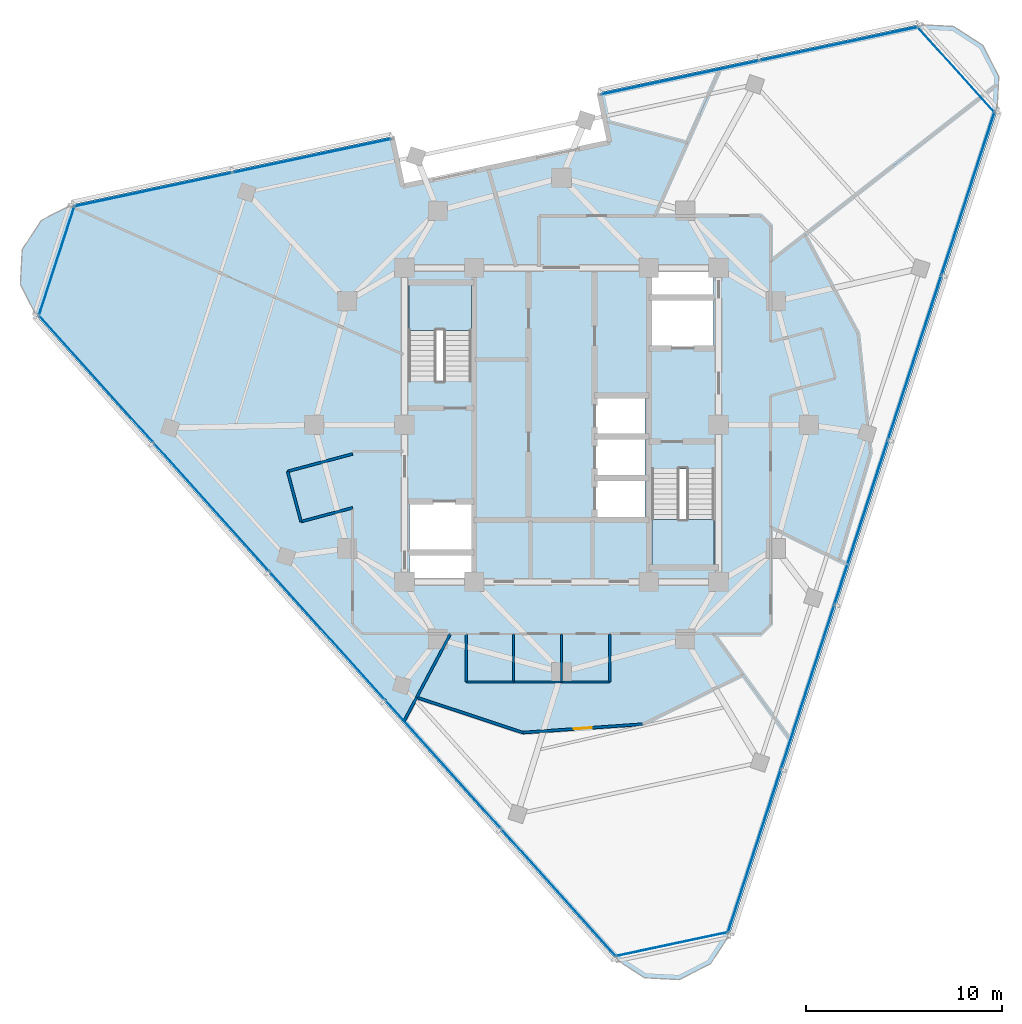
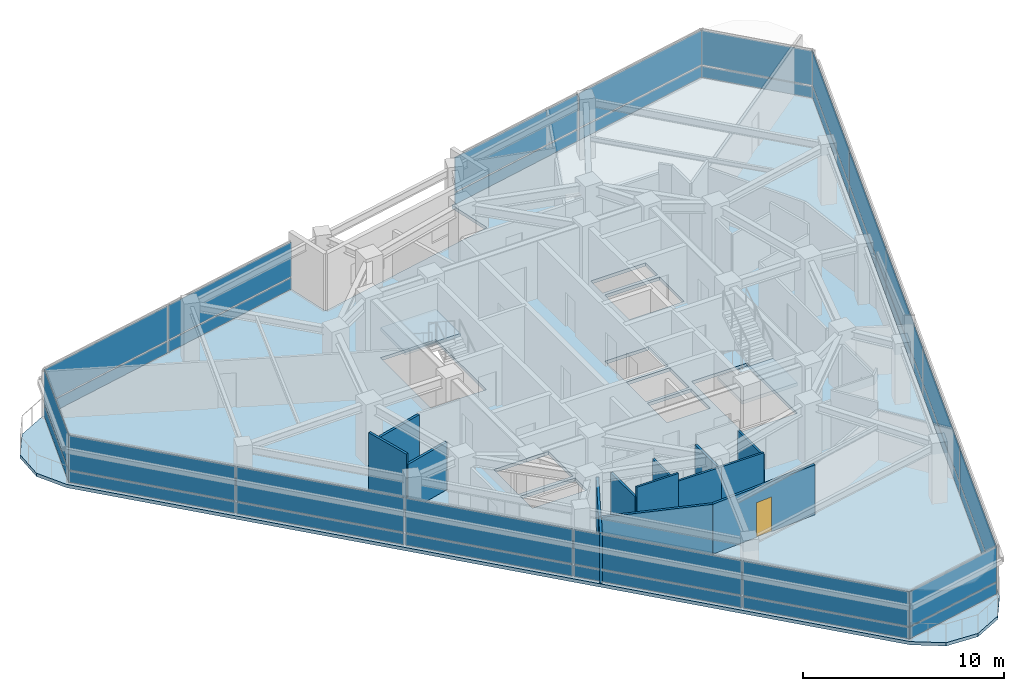
# One storey, part 7 of 15: 34 plates, 14 walls, 3 slabs, 1 door, 1 opening, 9 elements without a shape of their own.
"""IFC4 building model written with IfcOpenShell, lengths in metres."""

from ifc_helpers import new_model, si_unit, direction, frame, frame_2d, origin, origin_2d, place, context, subcontext, project, spatial, polyline, rectangle, outline, extrude, material, layer, layer_set, type_object, element, fill, aggregate, save


model = new_model("IFC4")

# Units and contexts
model_context = context("Model", 3, precision=1e-05, world=origin(), true_north=direction((0.0, 1.0)))
body_context = subcontext(model_context, "Body", "Model", "MODEL_VIEW")
ifc_project = project(units=[si_unit("LENGTHUNIT", "METRE"), si_unit("AREAUNIT", "SQUARE_METRE"), si_unit("VOLUMEUNIT", "CUBIC_METRE"), si_unit("PLANEANGLEUNIT", "RADIAN"), si_unit("MASSUNIT", "GRAM", prefix="KILO")], contexts=[model_context])

# Site, building, storey
site_placement = place(None, origin())
site = spatial("IfcSite", under=ifc_project, at=site_placement, CompositionType="ELEMENT")
building_placement = place(site_placement, origin())
building = spatial("IfcBuilding", under=site, at=building_placement, Name="Terralouvre Media Tower", CompositionType="ELEMENT")
storey_placement = place(building_placement, frame((0.0, 0.0, 298.0)))
storey = spatial("IfcBuildingStorey", under=building, at=storey_placement, Name="L77", CompositionType="ELEMENT", Elevation=298.0)

# Slab
ifc_material_1 = material(Name="Concrete C40/50", Category="concrete")
ifc_layer_1 = layer(ifc_material_1, 0.199951171875, Name="Composite Tower Floor Slab S-TYP200")
ifc_layer_set_1 = layer_set([ifc_layer_1], Name="Concrete C40/50")
slab_type_1 = type_object("IfcSlabType", Name="Composite Tower Floor Slab S-TYP200", PredefinedType="FLOOR", material=ifc_layer_set_1)
slab_1_placement = place(storey_placement, frame((0.0, 0.0, -0.199951171875), z_axis=(0.0, 0.0, 1.0), x_axis=(0.309016994375, 0.951056516295, 0.0)))
element("IfcSlab", 1, at=slab_1_placement, inside=storey, type_object=slab_type_1, Name="L77 Structural Floor Slab", PredefinedType="FLOOR", context=body_context, shape_type="SweptSolid", body=[
    extrude(outline(polyline([(25.0390625, -11.016357421875), (16.709228515625, 3.41162109375), (14.45751953125, 2.111572265625), (9.057373046875, 11.464599609375), (11.30908203125, 12.7646484375), (2.97900390625, 27.192626953125), (1.719970703125, 28.451904296875), (0.0, 28.91259765625), (-1.719970703125, 28.451904296875), (-2.97900390625, 27.192626953125), (-25.0390625, -11.016357421875), (-25.5, -12.736328125), (-25.0390625, -14.456298828125), (-23.780029296875, -15.715576171875), (-22.06005859375, -16.17626953125), (22.06005859375, -16.17626953125), (23.780029296875, -15.715576171875), (25.0390625, -14.456298828125), (25.5, -12.736328125), (25.0390625, -11.016357421875)]), holes=[polyline([(-7.698486328125, 2.33544921875), (-8.839599609375, 1.964599609375), (-9.813232421875, 4.96044921875), (-8.671875, 5.3310546875), (-7.698486328125, 2.33544921875)]), polyline([(-5.17822265625, 3.154296875), (-7.50830078125, 2.397216796875), (-8.481689453125, 5.39306640625), (-6.151611328125, 6.150146484375), (-5.17822265625, 3.154296875)]), polyline([(-5.483154296875, -6.618408203125), (-0.713623046875, -5.068603515625), (0.26904296875, -8.093017578125), (-4.50048828125, -9.642578125), (-5.483154296875, -6.618408203125)]), polyline([(-1.33056640625, -4.901123046875), (-3.17578125, -5.50048828125), (-3.9482421875, -3.122802734375), (-2.103271484375, -2.5234375), (-1.33056640625, -4.901123046875)]), polyline([(0.66650390625, -4.252197265625), (-1.178466796875, -4.8515625), (-1.950927734375, -2.473876953125), (-0.10595703125, -1.87451171875), (0.66650390625, -4.252197265625)]), polyline([(2.663818359375, -3.603271484375), (0.81884765625, -4.20263671875), (0.046142578125, -1.824951171875), (1.891357421875, -1.2255859375), (2.663818359375, -3.603271484375)]), polyline([(5.483154296875, 6.618408203125), (0.713623046875, 5.068603515625), (-0.26904296875, 8.093017578125), (4.50048828125, 9.642578125), (5.483154296875, 6.618408203125)]), polyline([(6.151611328125, -6.150146484375), (5.17822265625, -3.154296875), (7.50830078125, -2.397216796875), (8.481689453125, -5.39306640625), (6.151611328125, -6.150146484375)]), polyline([(8.671875, -5.3310546875), (7.698486328125, -2.33544921875), (8.839599609375, -1.964599609375), (9.813232421875, -4.96044921875), (8.671875, -5.3310546875)])]), origin(), (0.0, 0.0, 1.0), 0.199951171875),
])

# Stair, slab
ifc_material_2 = material(Name="Concrete C45/55", Category="concrete")
stair_type_1 = type_object("IfcStairType", Name="Dogleg Stair Assembly ST-01", PredefinedType="HALF_TURN_STAIR", material=ifc_material_2)
stair_1_placement = place(storey_placement, origin())
stair_1 = element("IfcStair", 2, at=stair_1_placement, inside=storey, type_object=stair_type_1, Name="L77 Core Pressurised Exit Stair ST-01", PredefinedType="HALF_TURN_STAIR")
ifc_material_3 = material(Name="Concrete C45/55", Category="concrete")
ifc_layer_2 = layer(ifc_material_3, 0.199951171875, Name="Reinforced Concrete Stair Half-Landing SL-LD1")
ifc_layer_set_2 = layer_set([ifc_layer_2], Name="Concrete C45/55")
slab_type_2 = type_object("IfcSlabType", Name="Reinforced Concrete Stair Half-Landing SL-LD1", PredefinedType="LANDING", material=ifc_layer_set_2)
slab_2_placement = place(storey_placement, frame((0.0, 0.0, 1.64990234375)))
slab_2 = element("IfcSlab", 3, at=slab_2_placement, type_object=slab_type_2, Name="ST-01 landing 1", PredefinedType="LANDING", context=body_context, shape_type="SweptSolid", body=[
    extrude(outline(polyline([(-4.60009765625, 4.820068359375), (-4.60009765625, 7.260009765625), (-7.780029296875, 7.260009765625), (-7.780029296875, 4.820068359375), (-4.60009765625, 4.820068359375)])), origin(), (0.0, 0.0, 1.0), 0.2001953125),
])
aggregate(stair_1, [slab_2])

ifc_material_4 = material(Name="Concrete C45/55", Category="concrete")
stair_type_2 = type_object("IfcStairType", Name="Dogleg Stair Assembly ST-02", PredefinedType="HALF_TURN_STAIR", material=ifc_material_4)
stair_2_placement = place(storey_placement, origin())
stair_2 = element("IfcStair", 4, at=stair_2_placement, inside=storey, type_object=stair_type_2, Name="L77 Core Pressurised Exit Stair ST-02", PredefinedType="HALF_TURN_STAIR")
slab_3_placement = place(storey_placement, frame((0.0, 0.0, 1.64990234375)))
slab_3 = element("IfcSlab", 5, at=slab_3_placement, type_object=slab_type_2, Name="ST-02 landing 1", PredefinedType="LANDING", context=body_context, shape_type="SweptSolid", body=[
    extrude(outline(polyline([(4.60009765625, -4.820068359375), (4.60009765625, -7.260009765625), (7.780029296875, -7.260009765625), (7.780029296875, -4.820068359375), (4.60009765625, -4.820068359375)])), origin(), (0.0, 0.0, 1.0), 0.2001953125),
])
aggregate(stair_2, [slab_3])

# Curtain wall, plates
ifc_material_5 = material(Name="Low-iron laminated double glazing with solar-control coating", Category="glass")
ifc_layer_3 = layer(ifc_material_5, 0.1650390625, Name="Rounded Wind-Corner Curved Glazing CW-04")
ifc_layer_set_3 = layer_set([ifc_layer_3], Name="Low-iron laminated double glazing with solar-control coating")
curtain_wall_type_1 = type_object("IfcCurtainWallType", Name="Rounded Wind-Corner Curved Glazing CW-04", PredefinedType="NOTDEFINED", material=ifc_layer_set_3)
curtain_wall_1_placement = place(storey_placement, origin())
curtain_wall_1 = element("IfcCurtainWall", 6, at=curtain_wall_1_placement, inside=storey, type_object=curtain_wall_type_1, Name="L77 Rounded Wind-Corner Curtain Wall C0", PredefinedType="NOTDEFINED")
ifc_material_6 = material(Name="Low-iron laminated double glazing with solar-control coating", Category="glass")
ifc_layer_4 = layer(ifc_material_6, 0.0400390625, Name="Rounded Corner Laminated Vision Panel CWP-03")
ifc_layer_set_4 = layer_set([ifc_layer_4], Name="Low-iron laminated double glazing with solar-control coating")
plate_type_1 = type_object("IfcPlateType", Name="Rounded Corner Laminated Vision Panel CWP-03", PredefinedType="CURTAIN_PANEL", material=ifc_layer_set_4)
plate_1_placement = place(storey_placement, frame((5.62451171875, -26.46142578125, 0.074951171875), z_axis=(0.0, 0.0, 1.0), x_axis=(0.978147609922, 0.207911647592, 0.0)))
plate_1 = element("IfcPlate", 7, at=plate_1_placement, type_object=plate_type_1, Name="CW-04 panel 1.1", PredefinedType="CURTAIN_PANEL", context=body_context, shape_type="SweptSolid", body=[
    extrude(rectangle(XDim=5.808349609375, YDim=0.035888671875, at=origin_2d()), origin(), (0.0, 0.0, 1.0), 0.6875),
])
plate_2_placement = place(storey_placement, frame((5.62451171875, -26.46142578125, 0.837646484375), z_axis=(0.0, 0.0, 1.0), x_axis=(0.978147609922, 0.207911647592, 0.0)))
plate_2 = element("IfcPlate", 8, at=plate_2_placement, type_object=plate_type_1, Name="CW-04 panel 1.2", PredefinedType="CURTAIN_PANEL", context=body_context, shape_type="SweptSolid", body=[
    extrude(rectangle(XDim=5.808349609375, YDim=0.035888671875, at=origin_2d()), origin(), (0.0, 0.0, 1.0), 2.08740234375),
])
aggregate(curtain_wall_1, [plate_1, plate_2])

curtain_wall_2_placement = place(storey_placement, origin())
curtain_wall_2 = element("IfcCurtainWall", 9, at=curtain_wall_2_placement, inside=storey, type_object=curtain_wall_type_1, Name="L77 Rounded Wind-Corner Curtain Wall C1", PredefinedType="NOTDEFINED")
plate_3_placement = place(storey_placement, frame((20.10400390625, 18.101806640625, 0.074951171875), z_axis=(0.0, 0.0, 1.0), x_axis=(-0.669130231192, 0.743145163279, 0.0)))
plate_3 = element("IfcPlate", 10, at=plate_3_placement, type_object=plate_type_1, Name="CW-04 panel 1.1", PredefinedType="CURTAIN_PANEL", context=body_context, shape_type="SweptSolid", body=[
    extrude(rectangle(XDim=5.808349609375, YDim=0.035888671875, at=origin_2d()), origin(), (0.0, 0.0, 1.0), 0.6875),
])
plate_4_placement = place(storey_placement, frame((20.10400390625, 18.101806640625, 0.837646484375), z_axis=(0.0, 0.0, 1.0), x_axis=(-0.669130231192, 0.743145163279, 0.0)))
plate_4 = element("IfcPlate", 11, at=plate_4_placement, type_object=plate_type_1, Name="CW-04 panel 1.2", PredefinedType="CURTAIN_PANEL", context=body_context, shape_type="SweptSolid", body=[
    extrude(rectangle(XDim=5.808349609375, YDim=0.035888671875, at=origin_2d()), origin(), (0.0, 0.0, 1.0), 2.08740234375),
])
aggregate(curtain_wall_2, [plate_3, plate_4])

curtain_wall_3_placement = place(storey_placement, origin())
curtain_wall_3 = element("IfcCurtainWall", 12, at=curtain_wall_3_placement, inside=storey, type_object=curtain_wall_type_1, Name="L77 Rounded Wind-Corner Curtain Wall C2", PredefinedType="NOTDEFINED")
plate_5_placement = place(storey_placement, frame((-25.728759765625, 8.359619140625, 0.074951171875), z_axis=(0.0, 0.0, 1.0), x_axis=(-0.30901654693, -0.951056661679, 0.0)))
plate_5 = element("IfcPlate", 13, at=plate_5_placement, type_object=plate_type_1, Name="CW-04 panel 1.1", PredefinedType="CURTAIN_PANEL", context=body_context, shape_type="SweptSolid", body=[
    extrude(rectangle(XDim=5.808349609375, YDim=0.035888671875, at=origin_2d()), origin(), (0.0, 0.0, 1.0), 0.6875),
])
plate_6_placement = place(storey_placement, frame((-25.728759765625, 8.359619140625, 0.837646484375), z_axis=(0.0, 0.0, 1.0), x_axis=(-0.30901654693, -0.951056661679, 0.0)))
plate_6 = element("IfcPlate", 14, at=plate_6_placement, type_object=plate_type_1, Name="CW-04 panel 1.2", PredefinedType="CURTAIN_PANEL", context=body_context, shape_type="SweptSolid", body=[
    extrude(rectangle(XDim=5.808349609375, YDim=0.035888671875, at=origin_2d()), origin(), (0.0, 0.0, 1.0), 2.08740234375),
])
aggregate(curtain_wall_3, [plate_5, plate_6])

ifc_material_7 = material(Name="Low-iron laminated double glazing with solar-control coating", Category="glass")
ifc_layer_5 = layer(ifc_material_7, 0.1650390625, Name="Faceted Glass-Point Crown Curtain Wall CW-06")
ifc_layer_set_5 = layer_set([ifc_layer_5], Name="Low-iron laminated double glazing with solar-control coating")
curtain_wall_type_2 = type_object("IfcCurtainWallType", Name="Faceted Glass-Point Crown Curtain Wall CW-06", PredefinedType="NOTDEFINED", material=ifc_layer_set_5)
curtain_wall_4_placement = place(storey_placement, origin())
curtain_wall_4 = element("IfcCurtainWall", 15, at=curtain_wall_4_placement, inside=storey, type_object=curtain_wall_type_2, Name="L77 Facade Curtain Wall F0", PredefinedType="NOTDEFINED")
ifc_material_8 = material(Name="Low-iron laminated double glazing with solar-control coating", Category="glass")
ifc_layer_6 = layer(ifc_material_8, 0.035888671875, Name="Vision Double-Glazed Unit CWP-01")
ifc_layer_set_6 = layer_set([ifc_layer_6], Name="Low-iron laminated double glazing with solar-control coating")
plate_type_2 = type_object("IfcPlateType", Name="Vision Double-Glazed Unit CWP-01", PredefinedType="CURTAIN_PANEL", material=ifc_layer_set_6)
plate_7_placement = place(storey_placement, frame((9.82275390625, -21.72802734375, 0.074951171875), z_axis=(0.0, 0.0, 1.0), x_axis=(0.309017021946, 0.951056507337, 0.0)))
plate_7 = element("IfcPlate", 16, at=plate_7_placement, type_object=plate_type_2, Name="CW-06 panel 1.1", PredefinedType="CURTAIN_PANEL", context=body_context, shape_type="SweptSolid", body=[
    extrude(rectangle(XDim=8.71142578125, YDim=0.035888671875, at=origin_2d()), origin(), (0.0, 0.0, 1.0), 0.6875),
])
plate_8_placement = place(storey_placement, frame((9.82275390625, -21.72802734375, 0.837646484375), z_axis=(0.0, 0.0, 1.0), x_axis=(0.309017021946, 0.951056507337, 0.0)))
plate_8 = element("IfcPlate", 17, at=plate_8_placement, type_object=plate_type_2, Name="CW-06 panel 1.2", PredefinedType="CURTAIN_PANEL", context=body_context, shape_type="SweptSolid", body=[
    extrude(rectangle(XDim=8.71142578125, YDim=0.035888671875, at=origin_2d()), origin(), (0.0, 0.0, 1.0), 2.08740234375),
])
plate_9_placement = place(storey_placement, frame((12.543701171875, -13.353759765625, 0.074951171875), z_axis=(0.0, 0.0, 1.0), x_axis=(0.309017021946, 0.951056507337, 0.0)))
plate_9 = element("IfcPlate", 18, at=plate_9_placement, type_object=plate_type_2, Name="CW-06 panel 2.1", PredefinedType="CURTAIN_PANEL", context=body_context, shape_type="SweptSolid", body=[
    extrude(rectangle(XDim=8.7490234375, YDim=0.035888671875, at=origin_2d()), origin(), (0.0, 0.0, 1.0), 0.6875),
])
plate_10_placement = place(storey_placement, frame((12.543701171875, -13.353759765625, 0.837646484375), z_axis=(0.0, 0.0, 1.0), x_axis=(0.309017021946, 0.951056507337, 0.0)))
plate_10 = element("IfcPlate", 19, at=plate_10_placement, type_object=plate_type_2, Name="CW-06 panel 2.2", PredefinedType="CURTAIN_PANEL", context=body_context, shape_type="SweptSolid", body=[
    extrude(rectangle(XDim=8.7490234375, YDim=0.035888671875, at=origin_2d()), origin(), (0.0, 0.0, 1.0), 2.08740234375),
])
plate_11_placement = place(storey_placement, frame((15.2705078125, -4.961669921875, 0.074951171875), z_axis=(0.0, 0.0, 1.0), x_axis=(0.309017021946, 0.951056507337, 0.0)))
plate_11 = element("IfcPlate", 20, at=plate_11_placement, type_object=plate_type_2, Name="CW-06 panel 3.1", PredefinedType="CURTAIN_PANEL", context=body_context, shape_type="SweptSolid", body=[
    extrude(rectangle(XDim=8.7490234375, YDim=0.035888671875, at=origin_2d()), origin(), (0.0, 0.0, 1.0), 0.6875),
])
plate_12_placement = place(storey_placement, frame((15.2705078125, -4.961669921875, 0.837646484375), z_axis=(0.0, 0.0, 1.0), x_axis=(0.309017021946, 0.951056507337, 0.0)))
plate_12 = element("IfcPlate", 21, at=plate_12_placement, type_object=plate_type_2, Name="CW-06 panel 3.2", PredefinedType="CURTAIN_PANEL", context=body_context, shape_type="SweptSolid", body=[
    extrude(rectangle(XDim=8.7490234375, YDim=0.035888671875, at=origin_2d()), origin(), (0.0, 0.0, 1.0), 2.08740234375),
])
plate_13_placement = place(storey_placement, frame((17.997314453125, 3.430419921875, 0.074951171875), z_axis=(0.0, 0.0, 1.0), x_axis=(0.309017021946, 0.951056507337, 0.0)))
plate_13 = element("IfcPlate", 22, at=plate_13_placement, type_object=plate_type_2, Name="CW-06 panel 4.1", PredefinedType="CURTAIN_PANEL", context=body_context, shape_type="SweptSolid", body=[
    extrude(rectangle(XDim=8.7490234375, YDim=0.035888671875, at=origin_2d()), origin(), (0.0, 0.0, 1.0), 0.6875),
])
plate_14_placement = place(storey_placement, frame((17.997314453125, 3.430419921875, 0.837646484375), z_axis=(0.0, 0.0, 1.0), x_axis=(0.309017021946, 0.951056507337, 0.0)))
plate_14 = element("IfcPlate", 23, at=plate_14_placement, type_object=plate_type_2, Name="CW-06 panel 4.2", PredefinedType="CURTAIN_PANEL", context=body_context, shape_type="SweptSolid", body=[
    extrude(rectangle(XDim=8.7490234375, YDim=0.035888671875, at=origin_2d()), origin(), (0.0, 0.0, 1.0), 2.08740234375),
])
plate_15_placement = place(storey_placement, frame((20.71826171875, 11.8046875, 0.074951171875), z_axis=(0.0, 0.0, 1.0), x_axis=(0.309017021946, 0.951056507337, 0.0)))
plate_15 = element("IfcPlate", 24, at=plate_15_placement, type_object=plate_type_2, Name="CW-06 panel 5.1", PredefinedType="CURTAIN_PANEL", context=body_context, shape_type="SweptSolid", body=[
    extrude(rectangle(XDim=8.71142578125, YDim=0.035888671875, at=origin_2d()), origin(), (0.0, 0.0, 1.0), 0.6875),
])
plate_16_placement = place(storey_placement, frame((20.71826171875, 11.8046875, 0.837646484375), z_axis=(0.0, 0.0, 1.0), x_axis=(0.309017021946, 0.951056507337, 0.0)))
plate_16 = element("IfcPlate", 25, at=plate_16_placement, type_object=plate_type_2, Name="CW-06 panel 5.2", PredefinedType="CURTAIN_PANEL", context=body_context, shape_type="SweptSolid", body=[
    extrude(rectangle(XDim=8.71142578125, YDim=0.035888671875, at=origin_2d()), origin(), (0.0, 0.0, 1.0), 2.08740234375),
])
aggregate(curtain_wall_4, [plate_7, plate_8, plate_9, plate_10, plate_11, plate_12, plate_13, plate_14, plate_15, plate_16])

curtain_wall_5_placement = place(storey_placement, origin())
curtain_wall_5 = element("IfcCurtainWall", 26, at=curtain_wall_5_placement, inside=storey, type_object=curtain_wall_type_2, Name="L77 Left Flank Curtain Wall F1", PredefinedType="NOTDEFINED")
plate_17_placement = place(storey_placement, frame((14.147216796875, 19.422119140625, 0.074951171875), z_axis=(0.0, 0.0, 1.0), x_axis=(-0.978147588229, -0.207911749648, 0.0)))
plate_17 = element("IfcPlate", 27, at=plate_17_placement, type_object=plate_type_2, Name="CW-06 panel 1.1", PredefinedType="CURTAIN_PANEL", context=body_context, shape_type="SweptSolid", body=[
    extrude(rectangle(XDim=8.217529296875, YDim=0.035888671875, at=origin_2d()), origin(), (0.0, 0.0, 1.0), 0.6875),
])
plate_18_placement = place(storey_placement, frame((14.147216796875, 19.422119140625, 0.837646484375), z_axis=(0.0, 0.0, 1.0), x_axis=(-0.978147588229, -0.207911749648, 0.0)))
plate_18 = element("IfcPlate", 28, at=plate_18_placement, type_object=plate_type_2, Name="CW-06 panel 1.2", PredefinedType="CURTAIN_PANEL", context=body_context, shape_type="SweptSolid", body=[
    extrude(rectangle(XDim=8.217529296875, YDim=0.035888671875, at=origin_2d()), origin(), (0.0, 0.0, 1.0), 2.08740234375),
])
plate_19_placement = place(storey_placement, frame((6.0361328125, 17.697998046875, 0.074951171875), z_axis=(0.0, 0.0, 1.0), x_axis=(-0.978147588229, -0.207911749648, 0.0)))
plate_19 = element("IfcPlate", 29, at=plate_19_placement, type_object=plate_type_2, Name="CW-06 panel 2.1", PredefinedType="CURTAIN_PANEL", context=body_context, shape_type="SweptSolid", body=[
    extrude(rectangle(XDim=8.217529296875, YDim=0.035888671875, at=origin_2d()), origin(), (0.0, 0.0, 1.0), 0.6875),
])
plate_20_placement = place(storey_placement, frame((6.0361328125, 17.697998046875, 0.837646484375), z_axis=(0.0, 0.0, 1.0), x_axis=(-0.978147588229, -0.207911749648, 0.0)))
plate_20 = element("IfcPlate", 30, at=plate_20_placement, type_object=plate_type_2, Name="CW-06 panel 2.2", PredefinedType="CURTAIN_PANEL", context=body_context, shape_type="SweptSolid", body=[
    extrude(rectangle(XDim=8.217529296875, YDim=0.035888671875, at=origin_2d()), origin(), (0.0, 0.0, 1.0), 2.08740234375),
])
aggregate(curtain_wall_5, [plate_17, plate_18, plate_19, plate_20])

curtain_wall_6_placement = place(storey_placement, origin())
curtain_wall_6 = element("IfcCurtainWall", 31, at=curtain_wall_6_placement, inside=storey, type_object=curtain_wall_type_2, Name="L77 Right Flank Curtain Wall F1", PredefinedType="NOTDEFINED")
plate_21_placement = place(storey_placement, frame((-12.712646484375, 13.712890625, 0.074951171875), z_axis=(0.0, 0.0, 1.0), x_axis=(-0.978147684351, -0.20791129743, 0.0)))
plate_21 = element("IfcPlate", 32, at=plate_21_placement, type_object=plate_type_2, Name="CW-06 panel 1.1", PredefinedType="CURTAIN_PANEL", context=body_context, shape_type="SweptSolid", body=[
    extrude(rectangle(XDim=8.217529296875, YDim=0.035888671875, at=origin_2d()), origin(), (0.0, 0.0, 1.0), 0.6875),
])
plate_22_placement = place(storey_placement, frame((-12.712646484375, 13.712890625, 0.837646484375), z_axis=(0.0, 0.0, 1.0), x_axis=(-0.978147684351, -0.20791129743, 0.0)))
plate_22 = element("IfcPlate", 33, at=plate_22_placement, type_object=plate_type_2, Name="CW-06 panel 1.2", PredefinedType="CURTAIN_PANEL", context=body_context, shape_type="SweptSolid", body=[
    extrude(rectangle(XDim=8.217529296875, YDim=0.035888671875, at=origin_2d()), origin(), (0.0, 0.0, 1.0), 2.08740234375),
])
plate_23_placement = place(storey_placement, frame((-20.823974609375, 11.98876953125, 0.074951171875), z_axis=(0.0, 0.0, 1.0), x_axis=(-0.978147684351, -0.20791129743, 0.0)))
plate_23 = element("IfcPlate", 34, at=plate_23_placement, type_object=plate_type_2, Name="CW-06 panel 2.1", PredefinedType="CURTAIN_PANEL", context=body_context, shape_type="SweptSolid", body=[
    extrude(rectangle(XDim=8.217529296875, YDim=0.035888671875, at=origin_2d()), origin(), (0.0, 0.0, 1.0), 0.6875),
])
plate_24_placement = place(storey_placement, frame((-20.823974609375, 11.98876953125, 0.837646484375), z_axis=(0.0, 0.0, 1.0), x_axis=(-0.978147684351, -0.20791129743, 0.0)))
plate_24 = element("IfcPlate", 35, at=plate_24_placement, type_object=plate_type_2, Name="CW-06 panel 2.2", PredefinedType="CURTAIN_PANEL", context=body_context, shape_type="SweptSolid", body=[
    extrude(rectangle(XDim=8.217529296875, YDim=0.035888671875, at=origin_2d()), origin(), (0.0, 0.0, 1.0), 2.08740234375),
])
aggregate(curtain_wall_6, [plate_21, plate_22, plate_23, plate_24])

curtain_wall_7_placement = place(storey_placement, origin())
curtain_wall_7 = element("IfcCurtainWall", 36, at=curtain_wall_7_placement, inside=storey, type_object=curtain_wall_type_2, Name="L77 Facade Curtain Wall F2", PredefinedType="NOTDEFINED")
plate_25_placement = place(storey_placement, frame((-23.728515625, 2.357177734375, 0.074951171875), z_axis=(0.0, 0.0, 1.0), x_axis=(0.669130573531, -0.743144855036, 0.0)))
plate_25 = element("IfcPlate", 37, at=plate_25_placement, type_object=plate_type_2, Name="CW-06 panel 1.1", PredefinedType="CURTAIN_PANEL", context=body_context, shape_type="SweptSolid", body=[
    extrude(rectangle(XDim=8.71142578125, YDim=0.035888671875, at=origin_2d()), origin(), (0.0, 0.0, 1.0), 0.6875),
])
plate_26_placement = place(storey_placement, frame((-23.728515625, 2.357177734375, 0.837646484375), z_axis=(0.0, 0.0, 1.0), x_axis=(0.669130573531, -0.743144855036, 0.0)))
plate_26 = element("IfcPlate", 38, at=plate_26_placement, type_object=plate_type_2, Name="CW-06 panel 1.2", PredefinedType="CURTAIN_PANEL", context=body_context, shape_type="SweptSolid", body=[
    extrude(rectangle(XDim=8.71142578125, YDim=0.035888671875, at=origin_2d()), origin(), (0.0, 0.0, 1.0), 2.08740234375),
])
plate_27_placement = place(storey_placement, frame((-17.836669921875, -4.186279296875, 0.074951171875), z_axis=(0.0, 0.0, 1.0), x_axis=(0.669130573531, -0.743144855036, 0.0)))
plate_27 = element("IfcPlate", 39, at=plate_27_placement, type_object=plate_type_2, Name="CW-06 panel 2.1", PredefinedType="CURTAIN_PANEL", context=body_context, shape_type="SweptSolid", body=[
    extrude(rectangle(XDim=8.7490234375, YDim=0.035888671875, at=origin_2d()), origin(), (0.0, 0.0, 1.0), 0.6875),
])
plate_28_placement = place(storey_placement, frame((-17.836669921875, -4.186279296875, 0.837646484375), z_axis=(0.0, 0.0, 1.0), x_axis=(0.669130573531, -0.743144855036, 0.0)))
plate_28 = element("IfcPlate", 40, at=plate_28_placement, type_object=plate_type_2, Name="CW-06 panel 2.2", PredefinedType="CURTAIN_PANEL", context=body_context, shape_type="SweptSolid", body=[
    extrude(rectangle(XDim=8.7490234375, YDim=0.035888671875, at=origin_2d()), origin(), (0.0, 0.0, 1.0), 2.08740234375),
])
plate_29_placement = place(storey_placement, frame((-11.93212890625, -10.743896484375, 0.074951171875), z_axis=(0.0, 0.0, 1.0), x_axis=(0.669130573531, -0.743144855036, 0.0)))
plate_29 = element("IfcPlate", 41, at=plate_29_placement, type_object=plate_type_2, Name="CW-06 panel 3.1", PredefinedType="CURTAIN_PANEL", context=body_context, shape_type="SweptSolid", body=[
    extrude(rectangle(XDim=8.7490234375, YDim=0.035888671875, at=origin_2d()), origin(), (0.0, 0.0, 1.0), 0.6875),
])
plate_30_placement = place(storey_placement, frame((-11.93212890625, -10.743896484375, 0.837646484375), z_axis=(0.0, 0.0, 1.0), x_axis=(0.669130573531, -0.743144855036, 0.0)))
plate_30 = element("IfcPlate", 42, at=plate_30_placement, type_object=plate_type_2, Name="CW-06 panel 3.2", PredefinedType="CURTAIN_PANEL", context=body_context, shape_type="SweptSolid", body=[
    extrude(rectangle(XDim=8.7490234375, YDim=0.035888671875, at=origin_2d()), origin(), (0.0, 0.0, 1.0), 2.08740234375),
])
plate_31_placement = place(storey_placement, frame((-6.02783203125, -17.30126953125, 0.074951171875), z_axis=(0.0, 0.0, 1.0), x_axis=(0.669130573531, -0.743144855036, 0.0)))
plate_31 = element("IfcPlate", 43, at=plate_31_placement, type_object=plate_type_2, Name="CW-06 panel 4.1", PredefinedType="CURTAIN_PANEL", context=body_context, shape_type="SweptSolid", body=[
    extrude(rectangle(XDim=8.7490234375, YDim=0.035888671875, at=origin_2d()), origin(), (0.0, 0.0, 1.0), 0.6875),
])
plate_32_placement = place(storey_placement, frame((-6.02783203125, -17.30126953125, 0.837646484375), z_axis=(0.0, 0.0, 1.0), x_axis=(0.669130573531, -0.743144855036, 0.0)))
plate_32 = element("IfcPlate", 44, at=plate_32_placement, type_object=plate_type_2, Name="CW-06 panel 4.2", PredefinedType="CURTAIN_PANEL", context=body_context, shape_type="SweptSolid", body=[
    extrude(rectangle(XDim=8.7490234375, YDim=0.035888671875, at=origin_2d()), origin(), (0.0, 0.0, 1.0), 2.08740234375),
])
plate_33_placement = place(storey_placement, frame((-0.135986328125, -23.844970703125, 0.074951171875), z_axis=(0.0, 0.0, 1.0), x_axis=(0.669130573531, -0.743144855036, 0.0)))
plate_33 = element("IfcPlate", 45, at=plate_33_placement, type_object=plate_type_2, Name="CW-06 panel 5.1", PredefinedType="CURTAIN_PANEL", context=body_context, shape_type="SweptSolid", body=[
    extrude(rectangle(XDim=8.71142578125, YDim=0.035888671875, at=origin_2d()), origin(), (0.0, 0.0, 1.0), 0.6875),
])
plate_34_placement = place(storey_placement, frame((-0.135986328125, -23.844970703125, 0.837646484375), z_axis=(0.0, 0.0, 1.0), x_axis=(0.669130573531, -0.743144855036, 0.0)))
plate_34 = element("IfcPlate", 46, at=plate_34_placement, type_object=plate_type_2, Name="CW-06 panel 5.2", PredefinedType="CURTAIN_PANEL", context=body_context, shape_type="SweptSolid", body=[
    extrude(rectangle(XDim=8.71142578125, YDim=0.035888671875, at=origin_2d()), origin(), (0.0, 0.0, 1.0), 2.08740234375),
])
aggregate(curtain_wall_7, [plate_25, plate_26, plate_27, plate_28, plate_29, plate_30, plate_31, plate_32, plate_33, plate_34])

# Walls
ifc_material_9 = material(Name="Fire-rated gypsum board drywall partition")
ifc_layer_7 = layer(ifc_material_9, 0.135009765625, Name="Newsroom Acoustic Partition PT-135")
ifc_layer_set_7 = layer_set([ifc_layer_7], Name="Fire-rated gypsum board drywall partition")
wall_type_1 = type_object("IfcWallType", Name="Newsroom Acoustic Partition PT-135", PredefinedType="PARTITIONING", material=ifc_layer_set_7)
wall_1_placement = place(storey_placement, frame((-10.64990234375, -1.48193359375, 0.0), z_axis=(0.0, 0.0, 1.0), x_axis=(-0.965961397105, -0.2586862565, 0.0)))
element("IfcWall", 47, at=wall_1_placement, inside=storey, type_object=wall_type_1, Name="L77 Interior Partition 002", PredefinedType="PARTITIONING", context=body_context, shape_type="SweptSolid", body=[
    extrude(rectangle(XDim=3.4287109375, YDim=0.135009765625, at=frame_2d((1.71435546875, 0.0))), origin(), (0.0, 0.0, 1.0), 2.885009765625),
])
wall_2_placement = place(storey_placement, frame((-13.9619140625, -2.368896484375, 0.0), z_axis=(0.0, 0.0, 1.0), x_axis=(0.258413725385, -0.966034340245, 0.0)))
element("IfcWall", 48, at=wall_2_placement, inside=storey, type_object=wall_type_1, Name="L77 Interior Partition 003", PredefinedType="PARTITIONING", context=body_context, shape_type="SweptSolid", body=[
    extrude(rectangle(XDim=2.650146484375, YDim=0.135009765625, at=frame_2d((1.3251953125, 0.0))), origin(), (0.0, 0.0, 1.0), 3.5),
])
wall_3_placement = place(storey_placement, frame((-13.277099609375, -4.928955078125, 0.0), z_axis=(0.0, 0.0, 1.0), x_axis=(0.965934830229, 0.258785439601, 0.0)))
element("IfcWall", 49, at=wall_3_placement, inside=storey, type_object=wall_type_1, Name="L77 Interior Partition 004", PredefinedType="PARTITIONING", context=body_context, shape_type="SweptSolid", body=[
    extrude(rectangle(XDim=2.719970703125, YDim=0.135009765625, at=frame_2d((1.35986328125, 0.0))), origin(), (0.0, 0.0, 1.0), 2.885009765625),
])
wall_4_placement = place(storey_placement, frame((-7.382080078125, -13.884033203125, 0.0), z_axis=(0.0, 0.0, 1.0), x_axis=(0.469338791783, 0.88301817565, 0.0)))
element("IfcWall", 50, at=wall_4_placement, inside=storey, type_object=wall_type_1, Name="L77 Interior Partition 026", PredefinedType="PARTITIONING", context=body_context, shape_type="SweptSolid", body=[
    extrude(rectangle(XDim=3.66259765625, YDim=0.135009765625, at=frame_2d((1.831298828125, 0.0))), origin(), (0.0, 0.0, 1.0), 2.885009765625),
])
wall_5_placement = place(storey_placement, frame((-8.041748046875, -15.124267578125, 0.0), z_axis=(0.0, 0.0, 1.0), x_axis=(0.469595679185, 0.882881587808, 0.0)))
element("IfcWall", 51, at=wall_5_placement, inside=storey, type_object=wall_type_1, Name="L77 Interior Partition 027", PredefinedType="PARTITIONING", context=body_context, shape_type="SweptSolid", body=[
    extrude(rectangle(XDim=1.40478515625, YDim=0.135009765625, at=frame_2d((0.702392578125, 0.0))), origin(), (0.0, 0.0, 1.0), 3.034912109375),
])
wall_6_placement = place(storey_placement, frame((-7.382080078125, -13.884033203125, 0.0), z_axis=(0.0, 0.0, 1.0), x_axis=(0.949247116003, -0.314531258795, 0.0)))
element("IfcWall", 52, at=wall_6_placement, inside=storey, type_object=wall_type_1, Name="L77 Interior Partition 041", PredefinedType="PARTITIONING", context=body_context, shape_type="SweptSolid", body=[
    extrude(rectangle(XDim=5.700439453125, YDim=0.135009765625, at=frame_2d((2.85009765625, 0.0))), origin(), (0.0, 0.0, 1.0), 3.034912109375),
])

# Wall, opening, door
wall_7_placement = place(storey_placement, frame((-1.970947265625, -15.677001953125, 0.0), z_axis=(0.0, 0.0, 1.0), x_axis=(0.997562911572, 0.069772755832, 0.0)))
wall_7 = element("IfcWall", 53, at=wall_7_placement, inside=storey, type_object=wall_type_1, Name="L77 Interior Partition 042", PredefinedType="PARTITIONING", context=body_context, shape_type="SweptSolid", body=[
    extrude(rectangle(XDim=6.119873046875, YDim=0.135009765625, at=frame_2d((3.06005859375, 0.0))), origin(), (0.0, 0.0, 1.0), 3.034912109375),
])
opening_placement = place(wall_7_placement, frame((2.60009765625, 0.0, 0.0)))
opening = element("IfcOpeningElement", 54, at=opening_placement, cuts=wall_7, Name="Opening ID-03-92X210", PredefinedType="OPENING", context=body_context, shape_type="SweptSolid", body=[
    extrude(rectangle(XDim=0.919921875, YDim=2.10009765625, at=frame_2d((0.4599609375, 1.050048828125))), frame((0.0, 0.077392578125, 0.0), z_axis=(0.0, -1.0, 0.0), x_axis=(1.0, 0.0, 0.0)), (0.0, 0.0, 1.0), 0.155029296875),
])
ifc_material_10 = material(Name="Engineered hardwood acoustic timber leaf", Category="wood")
door_type = type_object("IfcDoorType", Name="Accessible Restroom and Suite Door ID-03 (920x2100)", OperationType="NOTDEFINED", PredefinedType="DOOR", material=ifc_material_10)
door_placement = place(opening_placement, origin())
door = element("IfcDoor", 55, at=door_placement, inside=storey, type_object=door_type, Name="L77 UX Sprint Project Conference Room 4 Door", OperationType="SINGLE_SWING_LEFT", OverallHeight=2.10009765625, OverallWidth=0.919921875, PredefinedType="DOOR", context=body_context, shape_type="SweptSolid", body=[
    extrude(rectangle(XDim=0.919921875, YDim=2.10009765625, at=frame_2d((0.4599609375, 1.050048828125))), frame((0.0, 0.02490234375, 0.0), z_axis=(0.0, -1.0, 0.0), x_axis=(1.0, 0.0, 0.0)), (0.0, 0.0, 1.0), 0.050048828125),
])
fill(opening, door)

# Walls
ifc_material_11 = material(Name="Fire-rated gypsum board drywall partition")
ifc_layer_8 = layer(ifc_material_11, 0.114990234375, Name="Restroom and Pantry Partition PT-115")
ifc_layer_set_8 = layer_set([ifc_layer_8], Name="Fire-rated gypsum board drywall partition")
wall_type_2 = type_object("IfcWallType", Name="Restroom and Pantry Partition PT-115", PredefinedType="PARTITIONING", material=ifc_layer_set_8)
for number, where, z_axis, x_axis, name in (
    (56, (-2.449951171875, -13.10009765625, 0.0), (0.0, 0.0, 1.0), (0.0, 1.0, 0.0), "L77 Interior Partition 034"),
    (57, (-4.85009765625, -10.64990234375, 0.0), (0.0, 0.0, 1.0), (0.0, -1.0, 0.0), "L77 Interior Partition 035"),
):
    element("IfcWall", number, at=place(storey_placement, frame(where, z_axis=z_axis, x_axis=x_axis)), inside=storey, type_object=wall_type_2, Name=name, PredefinedType="PARTITIONING", context=body_context, shape_type="SweptSolid", body=[
        extrude(rectangle(XDim=2.4501953125, YDim=0.114990234375, at=frame_2d((1.22509765625, 0.0))), origin(), (0.0, 0.0, 1.0), 2.885009765625),
    ])
wall_8_placement = place(storey_placement, frame((-4.85009765625, -13.10009765625, 0.0), z_axis=(0.0, 0.0, 1.0), x_axis=(1.0, 0.0, 0.0)))
element("IfcWall", 58, at=wall_8_placement, inside=storey, type_object=wall_type_2, Name="L77 Interior Partition 036", PredefinedType="PARTITIONING", context=body_context, shape_type="SweptSolid", body=[
    extrude(rectangle(XDim=2.400146484375, YDim=0.114990234375, at=frame_2d((1.2001953125, 0.0))), origin(), (0.0, 0.0, 1.0), 3.5),
])
wall_9_placement = place(storey_placement, frame((0.0, -13.10009765625, 0.0), z_axis=(0.0, 0.0, 1.0), x_axis=(0.0, 1.0, 0.0)))
element("IfcWall", 59, at=wall_9_placement, inside=storey, type_object=wall_type_2, Name="L77 Interior Partition 037", PredefinedType="PARTITIONING", context=body_context, shape_type="SweptSolid", body=[
    extrude(rectangle(XDim=2.4501953125, YDim=0.114990234375, at=frame_2d((1.22509765625, 0.0))), origin(), (0.0, 0.0, 1.0), 2.885009765625),
])
for number, where, z_axis, x_axis, name in (
    (60, (-2.449951171875, -13.10009765625, 0.0), (0.0, 0.0, 1.0), (1.0, 0.0, 0.0), "L77 Interior Partition 038"),
    (61, (0.0, -13.10009765625, 0.0), (0.0, 0.0, 1.0), (1.0, 0.0, 0.0), "L77 Interior Partition 039"),
):
    element("IfcWall", number, at=place(storey_placement, frame(where, z_axis=z_axis, x_axis=x_axis)), inside=storey, type_object=wall_type_2, Name=name, PredefinedType="PARTITIONING", context=body_context, shape_type="SweptSolid", body=[
        extrude(rectangle(XDim=2.449951171875, YDim=0.114990234375, at=frame_2d((1.22509765625, 0.0))), origin(), (0.0, 0.0, 1.0), 3.034912109375),
    ])
wall_10_placement = place(storey_placement, frame((2.449951171875, -13.10009765625, 0.0), z_axis=(0.0, 0.0, 1.0), x_axis=(0.0, 1.0, 0.0)))
element("IfcWall", 62, at=wall_10_placement, inside=storey, type_object=wall_type_2, Name="L77 Interior Partition 040", PredefinedType="PARTITIONING", context=body_context, shape_type="SweptSolid", body=[
    extrude(rectangle(XDim=2.4501953125, YDim=0.114990234375, at=frame_2d((1.22509765625, 0.0))), origin(), (0.0, 0.0, 1.0), 2.885009765625),
])

save(model, "model.ifc")
